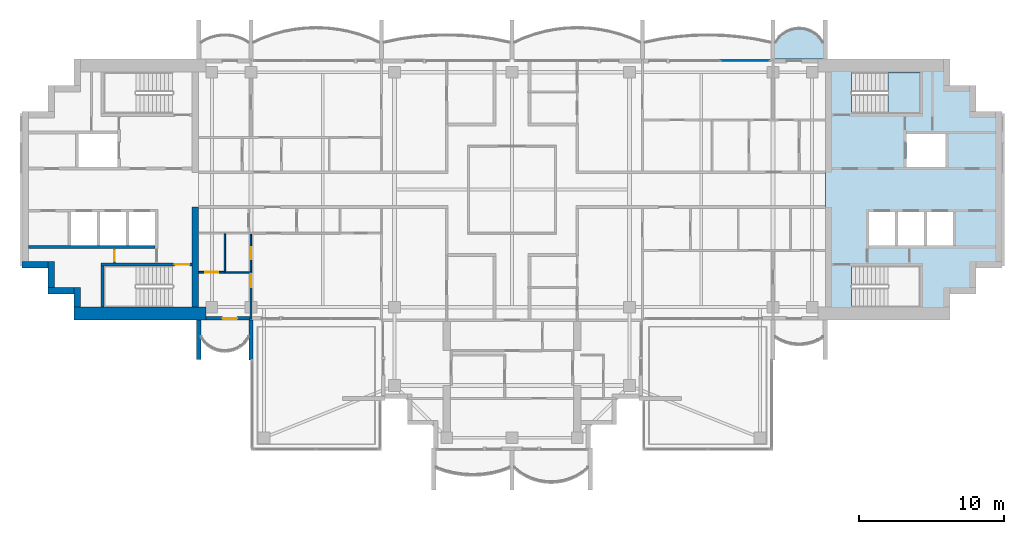
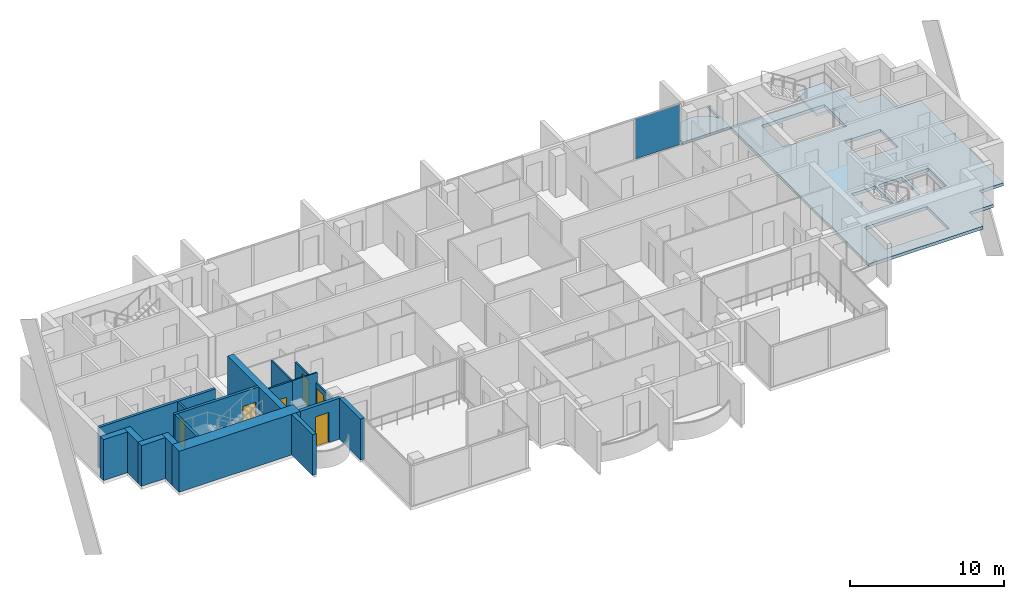
# One storey, part 6 of 16: 18 walls, 6 doors, 3 slabs, 1 plate, 6 openings, 2 elements without a shape of their own.
"""IFC4 building model written with IfcOpenShell, lengths in metres."""

from ifc_helpers import new_model, si_unit, direction, frame, frame_2d, origin, origin_2d, place, context, subcontext, project, spatial, polyline, rectangle, outline, extrude, material, layer, layer_set, type_object, element, fill, aggregate, save


model = new_model("IFC4")

# Units and contexts
model_context = context("Model", 3, precision=1e-05, world=origin(), true_north=direction((0.0, 1.0)))
body_context = subcontext(model_context, "Body", "Model", "MODEL_VIEW")
ifc_project = project(units=[si_unit("LENGTHUNIT", "METRE"), si_unit("AREAUNIT", "SQUARE_METRE"), si_unit("VOLUMEUNIT", "CUBIC_METRE"), si_unit("PLANEANGLEUNIT", "RADIAN"), si_unit("MASSUNIT", "GRAM", prefix="KILO")], contexts=[model_context])

# Site, building, storey
site_placement = place(None, origin())
site = spatial("IfcSite", under=ifc_project, at=site_placement, CompositionType="ELEMENT")
building_placement = place(site_placement, origin())
building = spatial("IfcBuilding", under=site, at=building_placement, Name="Perihelion Cross Residences", CompositionType="ELEMENT")
storey_placement = place(building_placement, frame((0.0, 0.0, 264.0)))
storey = spatial("IfcBuildingStorey", under=building, at=storey_placement, Name="L67", CompositionType="ELEMENT", Elevation=264.0)

# Slab
ifc_material_1 = material(Name="Concrete C40/50", Category="concrete")
ifc_layer_1 = layer(ifc_material_1, 0.199951171875)
ifc_layer_set_1 = layer_set([ifc_layer_1], Name="Balcony slab 200")
slab_type_1 = type_object("IfcSlabType", Name="Balcony slab 200", PredefinedType="FLOOR", material=ifc_layer_set_1)
slab_1_placement = place(storey_placement, frame((0.0, 0.0, -0.199951171875)))
element("IfcSlab", 1, at=slab_1_placement, inside=storey, type_object=slab_type_1, Name="Slab BK1 L67 east side north bay 1 balcony", PredefinedType="FLOOR", context=body_context, shape_type="SweptSolid", body=[
    extrude(outline(polyline([(21.60009765625, 9.0), (18.0, 9.0), (18.0, 11.699951171875), (18.14990234375, 11.699951171875), (18.14990234375, 10.199951171875), (18.425048828125, 10.568603515625), (18.699951171875, 10.806396484375), (18.97509765625, 10.96875), (19.25, 11.07568359375), (19.52490234375, 11.136962890625), (19.800048828125, 11.156982421875), (20.074951171875, 11.136962890625), (20.35009765625, 11.07568359375), (20.625, 10.96875), (20.89990234375, 10.806396484375), (21.175048828125, 10.568603515625), (21.449951171875, 10.199951171875), (21.449951171875, 11.699951171875), (21.60009765625, 11.699951171875), (21.60009765625, 9.0)])), origin(), (0.0, 0.0, 1.0), 0.199951171875),
])

# Curtain wall, plate
ifc_material_2 = material(Name="Bronze anodised aluminium, tinted glazing", Category="aluminium")
curtain_wall_type = type_object("IfcCurtainWallType", Name="CW1", PredefinedType="NOTDEFINED", material=ifc_material_2)
curtain_wall_placement = place(storey_placement, origin())
curtain_wall = element("IfcCurtainWall", 2, at=curtain_wall_placement, inside=storey, type_object=curtain_wall_type, Name="Curtain wall CW1 L67 east side north bay 2", PredefinedType="NOTDEFINED")
ifc_material_3 = material(Name="Tinted laminated glass", Category="glass")
ifc_layer_2 = layer(ifc_material_3, 0.028076171875)
ifc_layer_set_2 = layer_set([ifc_layer_2], Name="CW1 panel")
plate_type = type_object("IfcPlateType", Name="CW1 panel", PredefinedType="CURTAIN_PANEL", material=ifc_layer_set_2)
plate_placement = place(storey_placement, frame((16.06005859375, 8.89990234375, 0.0), z_axis=(0.0, 0.0, 1.0), x_axis=(-1.0, 0.0, 0.0)))
plate = element("IfcPlate", 3, at=plate_placement, type_object=plate_type, Name="CW1 panel 1", PredefinedType="CURTAIN_PANEL", context=body_context, shape_type="SweptSolid", body=[
    extrude(rectangle(XDim=3.360107421875, YDim=0.028076171875, at=origin_2d()), origin(), (0.0, 0.0, 1.0), 3.18994140625),
])
aggregate(curtain_wall, [plate])

# Slab
ifc_material_4 = material(Name="Concrete C40/50", Category="concrete")
ifc_layer_3 = layer(ifc_material_4, 0.25)
ifc_layer_set_3 = layer_set([ifc_layer_3], Name="Core floor slab 250")
slab_type_2 = type_object("IfcSlabType", Name="Core floor slab 250", PredefinedType="FLOOR", material=ifc_layer_set_3)
slab_2_placement = place(storey_placement, frame((0.0, 0.0, -0.25)))
element("IfcSlab", 4, at=slab_2_placement, inside=storey, type_object=slab_type_2, Name="East core floor slab", PredefinedType="FLOOR", context=body_context, shape_type="SweptSolid", body=[
    extrude(outline(polyline([(30.199951171875, 7.199951171875), (32.0, 7.199951171875), (32.0, 5.39990234375), (33.800048828125, 5.39990234375), (33.800048828125, -5.39990234375), (32.0, -5.39990234375), (32.0, -7.199951171875), (30.199951171875, -7.199951171875), (30.199951171875, -9.0), (21.60009765625, -9.0), (21.60009765625, 9.0), (30.199951171875, 9.0), (30.199951171875, 7.199951171875)]), holes=[polyline([(28.14990234375, -8.10009765625), (28.14990234375, -5.25), (23.405029296875, -5.25), (23.405029296875, -8.10009765625), (28.14990234375, -8.10009765625)]), polyline([(24.60009765625, -1.550048828125), (24.60009765625, -3.85009765625), (26.39990234375, -3.85009765625), (26.39990234375, -1.550048828125), (24.60009765625, -1.550048828125)]), polyline([(26.60009765625, -1.550048828125), (26.60009765625, -3.85009765625), (28.39990234375, -3.85009765625), (28.39990234375, -1.550048828125), (26.60009765625, -1.550048828125)]), polyline([(28.60009765625, -3.85009765625), (30.39990234375, -3.85009765625), (30.39990234375, -1.550048828125), (28.60009765625, -1.550048828125), (28.60009765625, -3.85009765625)]), polyline([(27.199951171875, 3.85009765625), (27.199951171875, 1.550048828125), (29.89990234375, 1.550048828125), (29.89990234375, 3.85009765625), (27.199951171875, 3.85009765625)]), polyline([(23.405029296875, 5.25), (28.14990234375, 5.25), (28.14990234375, 8.10009765625), (23.405029296875, 8.10009765625), (23.405029296875, 5.25)])]), origin(), (0.0, 0.0, 1.0), 0.25),
])

# Stair, slab
ifc_material_5 = material(Name="Concrete C40/50", Category="concrete")
stair_type = type_object("IfcStairType", Name="Exit stair, half-turn", PredefinedType="HALF_TURN_STAIR", material=ifc_material_5)
stair_placement = place(storey_placement, origin())
stair = element("IfcStair", 5, at=stair_placement, inside=storey, type_object=stair_type, Name="L67 East core exit stair 1", PredefinedType="HALF_TURN_STAIR")
ifc_material_6 = material(Name="Concrete C40/50", Category="concrete")
ifc_layer_4 = layer(ifc_material_6, 0.199951171875)
ifc_layer_set_4 = layer_set([ifc_layer_4], Name="Exit stair landing 200")
slab_type_3 = type_object("IfcSlabType", Name="Exit stair landing 200", PredefinedType="LANDING", material=ifc_layer_set_4)
slab_3_placement = place(storey_placement, frame((0.0, 0.0, 1.550048828125)))
slab_3 = element("IfcSlab", 6, at=slab_3_placement, type_object=slab_type_3, Name="ST-E1 landing 1", PredefinedType="LANDING", context=body_context, shape_type="SweptSolid", body=[
    extrude(outline(polyline([(25.919921875, 5.25), (28.14990234375, 5.25), (28.14990234375, 8.10009765625), (25.919921875, 8.10009765625), (25.919921875, 5.25)])), origin(), (0.0, 0.0, 1.0), 0.199951171875),
])
aggregate(stair, [slab_3])

# Wall, opening, door
ifc_material_7 = material(Name="Concrete C30/37, bronze-clad", Category="concrete")
ifc_layer_5 = layer(ifc_material_7, 0.25)
ifc_layer_set_5 = layer_set([ifc_layer_5], Name="Bronze-clad pier wall 250")
wall_type_1 = type_object("IfcWallType", Name="Bronze-clad pier wall 250", PredefinedType="SOLIDWALL", material=ifc_layer_set_5)
wall_1_placement = place(storey_placement, frame((-21.10009765625, -8.875, 0.0), z_axis=(0.0, 0.0, 1.0), x_axis=(1.0, 0.0, 0.0)))
wall_1 = element("IfcWall", 7, at=wall_1_placement, inside=storey, type_object=wall_type_1, Name="Wall FW1 L67 west side south bay 1 pier", PredefinedType="SOLIDWALL", context=body_context, shape_type="SweptSolid", body=[
    extrude(rectangle(XDim=3.0400390625, YDim=0.25, at=frame_2d((1.52001953125, 0.0))), origin(), (0.0, 0.0, 1.0), 3.25),
])
opening_1_placement = place(wall_1_placement, frame((1.14990234375, 0.0, 0.0)))
opening_1 = element("IfcOpeningElement", 8, at=opening_1_placement, cuts=wall_1, Name="Opening L67.E07", PredefinedType="OPENING", context=body_context, shape_type="SweptSolid", body=[
    extrude(rectangle(XDim=1.0, YDim=2.39990234375, at=frame_2d((0.5, 1.199951171875))), frame((0.0, 0.135009765625, 0.0), z_axis=(0.0, -1.0, 0.0), x_axis=(1.0, 0.0, 0.0)), (0.0, 0.0, 1.0), 0.27001953125),
])
ifc_material_8 = material(Name="Bronze anodised aluminium, glazed", Category="aluminium")
door_type_1 = type_object("IfcDoorType", Name="Balcony door 1000 x 2400", OperationType="NOTDEFINED", PredefinedType="DOOR", material=ifc_material_8)
door_1_placement = place(opening_1_placement, origin())
door_1 = element("IfcDoor", 9, at=door_1_placement, inside=storey, type_object=door_type_1, Name="Door L67.E07 west side south bay 1", OperationType="SINGLE_SWING_LEFT", OverallHeight=2.39990234375, OverallWidth=1.0, PredefinedType="DOOR", context=body_context, shape_type="SweptSolid", body=[
    extrude(rectangle(XDim=1.0, YDim=2.39990234375, at=frame_2d((0.5, 1.199951171875))), frame((0.0, 0.02490234375, 0.0), z_axis=(0.0, -1.0, 0.0), x_axis=(1.0, 0.0, 0.0)), (0.0, 0.0, 1.0), 0.050048828125),
])
fill(opening_1, door_1)

# Walls
ifc_material_9 = material(Name="Concrete C60/75", Category="concrete")
ifc_layer_6 = layer(ifc_material_9, 0.449951171875)
ifc_layer_set_6 = layer_set([ifc_layer_6], Name="Core wall, inner 450")
wall_type_2 = type_object("IfcWallType", Name="Core wall, inner 450", PredefinedType="SHEAR", material=ifc_layer_set_6)
wall_2_placement = place(storey_placement, frame((-21.824951171875, -8.10009765625, 0.0), z_axis=(0.0, 0.0, 1.0), x_axis=(0.0, 1.0, 0.0)))
element("IfcWall", 10, at=wall_2_placement, inside=storey, type_object=wall_type_2, Name="West core core wall, inner", PredefinedType="SHEAR", context=body_context, shape_type="SweptSolid", body=[
    extrude(rectangle(XDim=6.900146484375, YDim=0.449951171875, at=frame_2d((3.4501953125, 0.0))), origin(), (0.0, 0.0, 1.0), 3.25),
])
ifc_material_10 = material(Name="Concrete C60/75", Category="concrete")
ifc_layer_7 = layer(ifc_material_10, 0.449951171875)
ifc_layer_set_7 = layer_set([ifc_layer_7], Name="Core wall, outer 450")
wall_type_3 = type_object("IfcWallType", Name="Core wall, outer 450", PredefinedType="SHEAR", material=ifc_layer_set_7)
wall_3_placement = place(storey_placement, frame((-29.97509765625, -8.10009765625, 0.0), z_axis=(0.0, 0.0, 1.0), x_axis=(0.0, 1.0, 0.0)))
element("IfcWall", 11, at=wall_3_placement, inside=storey, type_object=wall_type_3, Name="West core core wall, outer", PredefinedType="SHEAR", context=body_context, shape_type="SweptSolid", body=[
    extrude(rectangle(XDim=1.35009765625, YDim=0.449951171875, at=frame_2d((0.675048828125, 0.0))), origin(), (0.0, 0.0, 1.0), 3.25),
])
for number, where, z_axis, x_axis, name in (
    (12, (-32.0, -6.97509765625, 0.0), (0.0, 0.0, 1.0), (1.0, 0.0, 0.0), "West core core wall, outer"),
    (13, (-31.77490234375, -6.75, 0.0), (0.0, 0.0, 1.0), (0.0, 1.0, 0.0), "West core core wall, outer"),
    (14, (-33.800048828125, -5.175048828125, 0.0), (0.0, 0.0, 1.0), (1.0, 0.0, 0.0), "West core core wall, outer"),
):
    element("IfcWall", number, at=place(storey_placement, frame(where, z_axis=z_axis, x_axis=x_axis)), inside=storey, type_object=wall_type_3, Name=name, PredefinedType="SHEAR", context=body_context, shape_type="SweptSolid", body=[
        extrude(rectangle(XDim=1.800048828125, YDim=0.449951171875, at=frame_2d((0.89990234375, 0.0))), origin(), (0.0, 0.0, 1.0), 3.25),
    ])
ifc_material_11 = material(Name="Concrete C60/75", Category="concrete")
ifc_layer_8 = layer(ifc_material_11, 0.89990234375)
ifc_layer_set_8 = layer_set([ifc_layer_8], Name="Core wall, outer 900")
wall_type_4 = type_object("IfcWallType", Name="Core wall, outer 900", PredefinedType="SHEAR", material=ifc_layer_set_8)
wall_4_placement = place(storey_placement, frame((-30.199951171875, -8.550048828125, 0.0), z_axis=(0.0, 0.0, 1.0), x_axis=(1.0, 0.0, 0.0)))
element("IfcWall", 15, at=wall_4_placement, inside=storey, type_object=wall_type_4, Name="West core core wall, outer", PredefinedType="SHEAR", context=body_context, shape_type="SweptSolid", body=[
    extrude(rectangle(XDim=9.099853515625, YDim=0.89990234375, at=frame_2d((4.5498046875, 0.0))), origin(), (0.0, 0.0, 1.0), 3.25),
])

# Wall, opening, door
ifc_material_12 = material(Name="Plasterboard partition")
ifc_layer_9 = layer(ifc_material_12, 0.1201171875)
ifc_layer_set_9 = layer_set([ifc_layer_9], Name="Partition wall 120")
wall_type_5 = type_object("IfcWallType", Name="Partition wall 120", PredefinedType="PARTITIONING", material=ifc_layer_set_9)
wall_5_placement = place(storey_placement, frame((-18.0, -8.919921875, 0.0), z_axis=(0.0, 0.0, 1.0), x_axis=(0.0, 1.0, 0.0)))
wall_5 = element("IfcWall", 16, at=wall_5_placement, inside=storey, type_object=wall_type_5, Name="Partition L67 W061", PredefinedType="PARTITIONING", context=body_context, shape_type="SweptSolid", body=[
    extrude(rectangle(XDim=3.219970703125, YDim=0.1201171875, at=frame_2d((1.60986328125, 0.0))), origin(), (0.0, 0.0, 1.0), 2.49609375),
])
opening_2_placement = place(wall_5_placement, frame((2.18994140625, 0.0, 0.0)))
opening_2 = element("IfcOpeningElement", 17, at=opening_2_placement, cuts=wall_5, Name="Opening L67.A27", PredefinedType="OPENING", context=body_context, shape_type="SweptSolid", body=[
    extrude(rectangle(XDim=0.89990234375, YDim=2.10009765625, at=frame_2d((0.449951171875, 1.050048828125))), frame((0.0, 0.070068359375, 0.0), z_axis=(0.0, -1.0, 0.0), x_axis=(1.0, 0.0, 0.0)), (0.0, 0.0, 1.0), 0.14013671875),
])
ifc_material_13 = material(Name="Timber door leaf", Category="wood")
door_type_2 = type_object("IfcDoorType", Name="Interior room door 900 x 2100", OperationType="SINGLE_SWING_LEFT", PredefinedType="DOOR", material=ifc_material_13)
door_2_placement = place(opening_2_placement, origin())
door_2 = element("IfcDoor", 18, at=door_2_placement, inside=storey, type_object=door_type_2, Name="Door L67.A27", OperationType="SINGLE_SWING_RIGHT", OverallHeight=2.10009765625, OverallWidth=0.89990234375, PredefinedType="DOOR", context=body_context, shape_type="SweptSolid", body=[
    extrude(rectangle(XDim=0.89990234375, YDim=2.10009765625, at=frame_2d((0.449951171875, 1.050048828125))), frame((0.0, 0.02490234375, 0.0), z_axis=(0.0, -1.0, 0.0), x_axis=(1.0, 0.0, 0.0)), (0.0, 0.0, 1.0), 0.050048828125),
])
fill(opening_2, door_2)

wall_6_placement = place(storey_placement, frame((-19.800048828125, -5.699951171875, 0.0), z_axis=(0.0, 0.0, 1.0), x_axis=(-1.0, 0.0, 0.0)))
wall_6 = element("IfcWall", 19, at=wall_6_placement, inside=storey, type_object=wall_type_5, Name="Partition L67 W065", PredefinedType="PARTITIONING", context=body_context, shape_type="SweptSolid", body=[
    extrude(rectangle(XDim=1.800048828125, YDim=0.1201171875, at=frame_2d((0.89990234375, 0.0))), origin(), (0.0, 0.0, 1.0), 3.25),
])
opening_3_placement = place(wall_6_placement, frame((0.449951171875, 0.0, 0.0)))
opening_3 = element("IfcOpeningElement", 20, at=opening_3_placement, cuts=wall_6, Name="Opening L67.A33", PredefinedType="OPENING", context=body_context, shape_type="SweptSolid", body=[
    extrude(rectangle(XDim=0.89990234375, YDim=2.10009765625, at=frame_2d((0.449951171875, 1.050048828125))), frame((0.0, 0.070068359375, 0.0), z_axis=(0.0, -1.0, 0.0), x_axis=(1.0, 0.0, 0.0)), (0.0, 0.0, 1.0), 0.14013671875),
])
door_3_placement = place(opening_3_placement, origin())
door_3 = element("IfcDoor", 21, at=door_3_placement, inside=storey, type_object=door_type_2, Name="Door L67.A33", OperationType="SINGLE_SWING_RIGHT", OverallHeight=2.10009765625, OverallWidth=0.89990234375, PredefinedType="DOOR", context=body_context, shape_type="SweptSolid", body=[
    extrude(rectangle(XDim=0.89990234375, YDim=2.10009765625, at=frame_2d((0.449951171875, 1.050048828125))), frame((0.0, 0.02490234375, 0.0), z_axis=(0.0, -1.0, 0.0), x_axis=(1.0, 0.0, 0.0)), (0.0, 0.0, 1.0), 0.050048828125),
])
fill(opening_3, door_3)

# Walls
ifc_material_14 = material(Name="Precast concrete C50/60", Category="concrete")
ifc_layer_10 = layer(ifc_material_14, 0.300048828125)
ifc_layer_set_10 = layer_set([ifc_layer_10], Name="Precast concrete C50/60 blade wall 300")
wall_type_6 = type_object("IfcWallType", Name="Precast concrete C50/60 blade wall 300", PredefinedType="SOLIDWALL", material=ifc_layer_set_10)
wall_7_placement = place(storey_placement, frame((-21.60009765625, -9.0, 0.0), z_axis=(0.0, 0.0, 1.0), x_axis=(0.0, -1.0, 0.0)))
element("IfcWall", 22, at=wall_7_placement, inside=storey, type_object=wall_type_6, Name="Wall BL1 L67 no. 3", PredefinedType="SOLIDWALL", context=body_context, shape_type="SweptSolid", body=[
    extrude(rectangle(XDim=2.699951171875, YDim=0.300048828125, at=frame_2d((1.35009765625, 0.0))), origin(), (0.0, 0.0, 1.0), 3.25),
])
wall_8_placement = place(storey_placement, frame((-18.0, -9.0, 0.0), z_axis=(0.0, 0.0, 1.0), x_axis=(0.0, -1.0, 0.0)))
element("IfcWall", 23, at=wall_8_placement, inside=storey, type_object=wall_type_6, Name="Wall BL1 L67 no. 1", PredefinedType="SOLIDWALL", context=body_context, shape_type="SweptSolid", body=[
    extrude(rectangle(XDim=2.739990234375, YDim=0.300048828125, at=frame_2d((1.3701171875, 0.0))), origin(), (0.0, 0.0, 1.0), 3.25),
])

# Wall, opening, door
ifc_material_15 = material(Name="Fire-rated board on steel stud", Category="steel")
ifc_layer_11 = layer(ifc_material_15, 0.14990234375)
ifc_layer_set_11 = layer_set([ifc_layer_11], Name="Riser wall 150")
wall_type_7 = type_object("IfcWallType", Name="Riser wall 150", PredefinedType="PARTITIONING", material=ifc_layer_set_11)
wall_9_placement = place(storey_placement, frame((-27.39990234375, -5.050048828125, 0.0), z_axis=(0.0, 0.0, 1.0), x_axis=(0.0, 1.0, 0.0)))
wall_9 = element("IfcWall", 24, at=wall_9_placement, inside=storey, type_object=wall_type_7, Name="West core riser wall", PredefinedType="PARTITIONING", context=body_context, shape_type="SweptSolid", body=[
    extrude(rectangle(XDim=1.0, YDim=0.14990234375, at=frame_2d((0.5, 0.0))), origin(), (0.0, 0.0, 1.0), 3.25),
])
opening_4_placement = place(wall_9_placement, frame((0.10009765625, 0.0, 0.0)))
opening_4 = element("IfcOpeningElement", 25, at=opening_4_placement, cuts=wall_9, Name="Opening L67.C25", PredefinedType="OPENING", context=body_context, shape_type="SweptSolid", body=[
    extrude(rectangle(XDim=0.800048828125, YDim=2.10009765625, at=frame_2d((0.39990234375, 1.050048828125))), frame((0.0, 0.0849609375, 0.0), z_axis=(0.0, -1.0, 0.0), x_axis=(1.0, 0.0, 0.0)), (0.0, 0.0, 1.0), 0.169921875),
])
ifc_material_16 = material(Name="Steel, powder coated", Category="steel")
door_type_3 = type_object("IfcDoorType", Name="Riser door 800", OperationType="SINGLE_SWING_LEFT", PredefinedType="DOOR", material=ifc_material_16)
door_4_placement = place(opening_4_placement, origin())
door_4 = element("IfcDoor", 26, at=door_4_placement, inside=storey, type_object=door_type_3, Name="West core riser door", OperationType="SINGLE_SWING_LEFT", OverallHeight=2.10009765625, OverallWidth=0.800048828125, PredefinedType="DOOR", context=body_context, shape_type="SweptSolid", body=[
    extrude(rectangle(XDim=0.800048828125, YDim=2.10009765625, at=frame_2d((0.39990234375, 1.050048828125))), frame((0.0, 0.02490234375, 0.0), z_axis=(0.0, -1.0, 0.0), x_axis=(1.0, 0.0, 0.0)), (0.0, 0.0, 1.0), 0.050048828125),
])
fill(opening_4, door_4)

# Wall
ifc_material_17 = material(Name="Concrete C50/60", Category="concrete")
ifc_layer_12 = layer(ifc_material_17, 0.199951171875)
ifc_layer_set_12 = layer_set([ifc_layer_12], Name="Shaft wall 200")
wall_type_8 = type_object("IfcWallType", Name="Shaft wall 200", PredefinedType="SOLIDWALL", material=ifc_layer_set_12)
wall_10_placement = place(storey_placement, frame((-33.35009765625, -3.949951171875, 0.0), z_axis=(0.0, 0.0, 1.0), x_axis=(1.0, 0.0, 0.0)))
element("IfcWall", 27, at=wall_10_placement, inside=storey, type_object=wall_type_8, Name="West core shaft wall", PredefinedType="SOLIDWALL", context=body_context, shape_type="SweptSolid", body=[
    extrude(rectangle(XDim=8.75, YDim=0.199951171875, at=frame_2d((4.375, 0.0))), origin(), (0.0, 0.0, 1.0), 3.25),
])

# Wall, opening, door
ifc_material_18 = material(Name="Concrete C50/60", Category="concrete")
ifc_layer_13 = layer(ifc_material_18, 0.199951171875)
ifc_layer_set_13 = layer_set([ifc_layer_13], Name="Stair wall 200")
wall_type_9 = type_object("IfcWallType", Name="Stair wall 200", PredefinedType="SOLIDWALL", material=ifc_layer_set_13)
wall_11_placement = place(storey_placement, frame((-28.35009765625, -5.14990234375, 0.0), z_axis=(0.0, 0.0, 1.0), x_axis=(1.0, 0.0, 0.0)))
wall_11 = element("IfcWall", 28, at=wall_11_placement, inside=storey, type_object=wall_type_9, Name="West core stair wall", PredefinedType="SOLIDWALL", context=body_context, shape_type="SweptSolid", body=[
    extrude(rectangle(XDim=6.300048828125, YDim=0.199951171875, at=frame_2d((3.14990234375, 0.0))), origin(), (0.0, 0.0, 1.0), 3.25),
])
opening_5_placement = place(wall_11_placement, frame((5.10009765625, 0.0, 0.0)))
opening_5 = element("IfcOpeningElement", 29, at=opening_5_placement, cuts=wall_11, Name="Opening L67.C19", PredefinedType="OPENING", context=body_context, shape_type="SweptSolid", body=[
    extrude(rectangle(XDim=1.0, YDim=2.10009765625, at=frame_2d((0.5, 1.050048828125))), frame((0.0, 0.10986328125, 0.0), z_axis=(0.0, -1.0, 0.0), x_axis=(1.0, 0.0, 0.0)), (0.0, 0.0, 1.0), 0.219970703125),
])
ifc_material_19 = material(Name="Steel, powder coated", Category="steel")
door_type_4 = type_object("IfcDoorType", Name="Stair door 1000", OperationType="SINGLE_SWING_LEFT", PredefinedType="DOOR", material=ifc_material_19)
door_5_placement = place(opening_5_placement, origin())
door_5 = element("IfcDoor", 30, at=door_5_placement, inside=storey, type_object=door_type_4, Name="West core stair door", OperationType="SINGLE_SWING_LEFT", OverallHeight=2.10009765625, OverallWidth=1.0, PredefinedType="DOOR", context=body_context, shape_type="SweptSolid", body=[
    extrude(rectangle(XDim=1.0, YDim=2.10009765625, at=frame_2d((0.5, 1.050048828125))), frame((0.0, 0.02490234375, 0.0), z_axis=(0.0, -1.0, 0.0), x_axis=(1.0, 0.0, 0.0)), (0.0, 0.0, 1.0), 0.050048828125),
])
fill(opening_5, door_5)

# Wall
wall_12_placement = place(storey_placement, frame((-28.25, -8.10009765625, 0.0), z_axis=(0.0, 0.0, 1.0), x_axis=(0.0, 1.0, 0.0)))
element("IfcWall", 31, at=wall_12_placement, inside=storey, type_object=wall_type_9, Name="West core stair wall", PredefinedType="SOLIDWALL", context=body_context, shape_type="SweptSolid", body=[
    extrude(rectangle(XDim=2.85009765625, YDim=0.199951171875, at=frame_2d((1.425048828125, 0.0))), origin(), (0.0, 0.0, 1.0), 3.25),
])

# Wall, opening, door
ifc_material_20 = material(Name="Plasterboard partition")
ifc_layer_14 = layer(ifc_material_20, 0.10009765625)
ifc_layer_set_14 = layer_set([ifc_layer_14], Name="Wet room wall 100")
wall_type_10 = type_object("IfcWallType", Name="Wet room wall 100", PredefinedType="PARTITIONING", material=ifc_layer_set_14)
wall_13_placement = place(storey_placement, frame((-18.0, -5.699951171875, 0.0), z_axis=(0.0, 0.0, 1.0), x_axis=(0.0, 1.0, 0.0)))
wall_13 = element("IfcWall", 32, at=wall_13_placement, inside=storey, type_object=wall_type_10, Name="Partition L67 W060", PredefinedType="PARTITIONING", context=body_context, shape_type="SweptSolid", body=[
    extrude(rectangle(XDim=2.639892578125, YDim=0.10009765625, at=frame_2d((1.31982421875, 0.0))), origin(), (0.0, 0.0, 1.0), 2.49609375),
])
opening_6_placement = place(wall_13_placement, frame((0.89501953125, 0.0, 0.0)))
opening_6 = element("IfcOpeningElement", 33, at=opening_6_placement, cuts=wall_13, Name="Opening L67.A25", PredefinedType="OPENING", context=body_context, shape_type="SweptSolid", body=[
    extrude(rectangle(XDim=0.85009765625, YDim=2.10009765625, at=frame_2d((0.425048828125, 1.050048828125))), frame((0.0, 0.06005859375, 0.0), z_axis=(0.0, -1.0, 0.0), x_axis=(1.0, 0.0, 0.0)), (0.0, 0.0, 1.0), 0.1201171875),
])
ifc_material_21 = material(Name="Timber door leaf", Category="wood")
door_type_5 = type_object("IfcDoorType", Name="Interior bathroom door 850 x 2100", OperationType="SINGLE_SWING_LEFT", PredefinedType="DOOR", material=ifc_material_21)
door_6_placement = place(opening_6_placement, origin())
door_6 = element("IfcDoor", 34, at=door_6_placement, inside=storey, type_object=door_type_5, Name="Door L67.A25", OperationType="SINGLE_SWING_RIGHT", OverallHeight=2.10009765625, OverallWidth=0.85009765625, PredefinedType="DOOR", context=body_context, shape_type="SweptSolid", body=[
    extrude(rectangle(XDim=0.85009765625, YDim=2.10009765625, at=frame_2d((0.425048828125, 1.050048828125))), frame((0.0, 0.02490234375, 0.0), z_axis=(0.0, -1.0, 0.0), x_axis=(1.0, 0.0, 0.0)), (0.0, 0.0, 1.0), 0.050048828125),
])
fill(opening_6, door_6)

# Walls
wall_14_placement = place(storey_placement, frame((-19.800048828125, -5.639892578125, 0.0), z_axis=(0.0, 0.0, 1.0), x_axis=(0.0, 1.0, 0.0)))
element("IfcWall", 35, at=wall_14_placement, inside=storey, type_object=wall_type_10, Name="Partition L67 W063", PredefinedType="PARTITIONING", context=body_context, shape_type="SweptSolid", body=[
    extrude(rectangle(XDim=2.58984375, YDim=0.10009765625, at=frame_2d((1.294921875, 0.0))), origin(), (0.0, 0.0, 1.0), 3.25),
])
wall_15_placement = place(storey_placement, frame((-17.93994140625, -5.699951171875, 0.0), z_axis=(0.0, 0.0, 1.0), x_axis=(-1.0, 0.0, 0.0)))
element("IfcWall", 36, at=wall_15_placement, inside=storey, type_object=wall_type_10, Name="Partition L67 W064", PredefinedType="PARTITIONING", context=body_context, shape_type="SweptSolid", body=[
    extrude(rectangle(XDim=1.860107421875, YDim=0.10009765625, at=frame_2d((0.93017578125, 0.0))), origin(), (0.0, 0.0, 1.0), 3.25),
])

save(model, "model.ifc")
